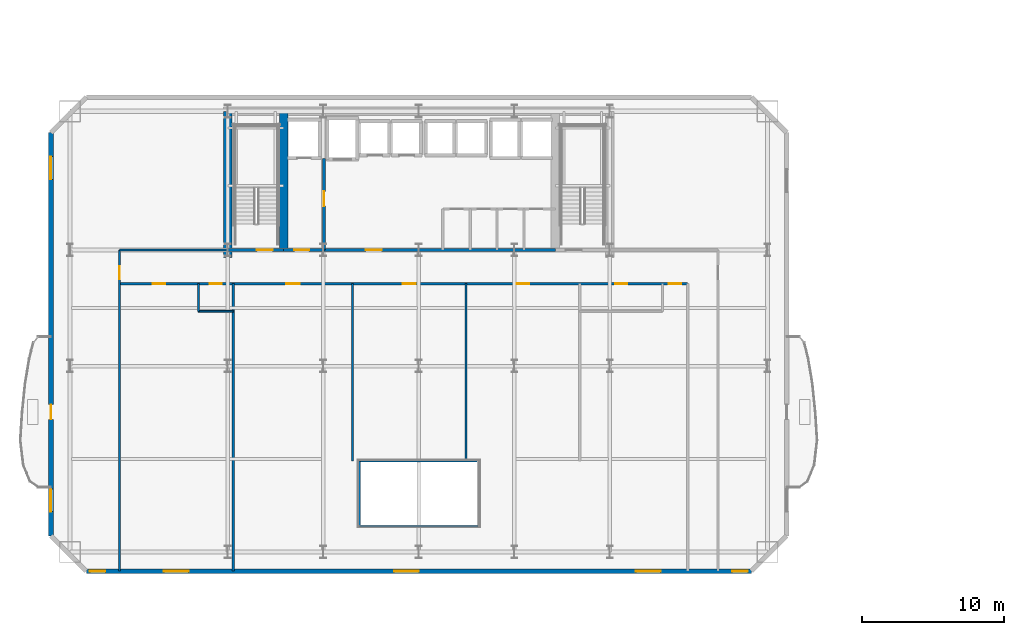
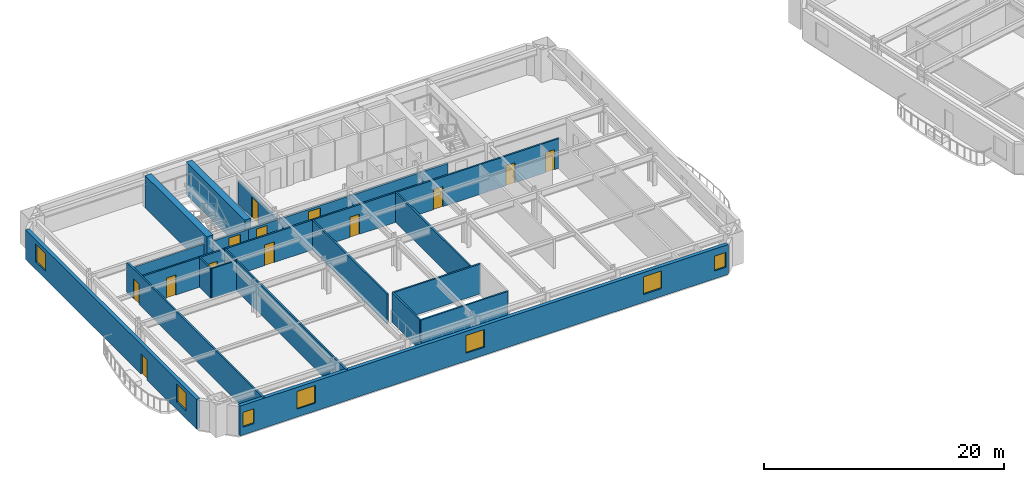
# One storey, part 5 of 15: 19 walls, 13 doors, 7 windows, 20 openings.
"""IFC4 building model written with IfcOpenShell, lengths in metres."""

from ifc_helpers import new_model, si_unit, direction, frame, frame_2d, origin, place, context, subcontext, project, spatial, rectangle, extrude, material, layer, layer_set, type_object, element, fill, save


model = new_model("IFC4")

# Units and contexts
model_context = context("Model", 3, precision=1e-05, world=origin(), true_north=direction((0.0, 1.0)))
body_context = subcontext(model_context, "Body", "Model", "MODEL_VIEW")
ifc_project = project(units=[si_unit("LENGTHUNIT", "METRE"), si_unit("AREAUNIT", "SQUARE_METRE"), si_unit("VOLUMEUNIT", "CUBIC_METRE"), si_unit("PLANEANGLEUNIT", "RADIAN"), si_unit("MASSUNIT", "GRAM", prefix="KILO")], contexts=[model_context])

# Site, building, storey
site_placement = place(None, origin())
site = spatial("IfcSite", under=ifc_project, at=site_placement, CompositionType="ELEMENT")
building_placement = place(site_placement, origin())
building = spatial("IfcBuilding", under=site, at=building_placement, Name="Haevon Station Towers", CompositionType="ELEMENT")
storey_placement = place(building_placement, frame((0.0, 0.0, 63.60009765625)))
storey = spatial("IfcBuildingStorey", under=building, at=storey_placement, Name="L16", CompositionType="ELEMENT", Elevation=63.60009765625)

# Wall, opening, door
ifc_material_1 = material(Name="Gypsum board on steel stud", Category="steel")
ifc_layer_1 = layer(ifc_material_1, 0.199951171875)
ifc_layer_set_1 = layer_set([ifc_layer_1], Name="Gypsum board on steel stud")
wall_type_1 = type_object("IfcWallType", Name="WL-COR200", PredefinedType="PARTITIONING", material=ifc_layer_set_1)
wall_1_placement = place(storey_placement, frame((24.0, 38.199951171875, 0.0), z_axis=(0.0, 0.0, 1.0), x_axis=(1.0, 0.0, 0.0)))
wall_1 = element("IfcWall", 1, at=wall_1_placement, inside=storey, type_object=wall_type_1, Name="WL-ST-ST1-L16", PredefinedType="PARTITIONING", context=body_context, shape_type="SweptSolid", body=[
    extrude(rectangle(XDim=3.949951171875, YDim=0.199951171875, at=frame_2d((1.97509765625, 0.0))), origin(), (0.0, 0.0, 1.0), 2.329833984375),
])
opening_1_placement = place(wall_1_placement, frame((2.050048828125, 0.0, 0.0)))
opening_1 = element("IfcOpeningElement", 2, at=opening_1_placement, cuts=wall_1, Name="Opening DR-ST-ST1-L16", PredefinedType="OPENING", context=body_context, shape_type="SweptSolid", body=[
    extrude(rectangle(XDim=1.1201171875, YDim=2.10009765625, at=frame_2d((0.56005859375, 1.050048828125))), frame((0.0, 0.10986328125, 0.0), z_axis=(0.0, -1.0, 0.0), x_axis=(1.0, 0.0, 0.0)), (0.0, 0.0, 1.0), 0.219970703125),
])
ifc_material_2 = material(Name="Engineered oak timber", Category="wood")
door_type_1 = type_object("IfcDoorType", Name="DR-ST-1120", OperationType="NOTDEFINED", PredefinedType="DOOR", material=ifc_material_2)
door_1_placement = place(opening_1_placement, origin())
door_1 = element("IfcDoor", 3, at=door_1_placement, inside=storey, type_object=door_type_1, Name="L16 Escape Stair ST1 Fire Door", OperationType="SINGLE_SWING_LEFT", OverallHeight=2.10009765625, OverallWidth=1.1201171875, PredefinedType="DOOR", context=body_context, shape_type="SweptSolid", body=[
    extrude(rectangle(XDim=1.1201171875, YDim=2.10009765625, at=frame_2d((0.56005859375, 1.050048828125))), frame((0.0, 0.02490234375, 0.0), z_axis=(0.0, -1.0, 0.0), x_axis=(1.0, 0.0, 0.0)), (0.0, 0.0, 1.0), 0.050048828125),
])
fill(opening_1, door_1)

wall_2_placement = place(storey_placement, frame((30.800048828125, 38.199951171875, 0.0), z_axis=(0.0, 0.0, 1.0), x_axis=(0.0, 1.0, 0.0)))
wall_2 = element("IfcWall", 4, at=wall_2_placement, inside=storey, type_object=wall_type_1, Name="WL-T1FFL-L16-E", PredefinedType="PARTITIONING", context=body_context, shape_type="SweptSolid", body=[
    extrude(rectangle(XDim=6.449951171875, YDim=0.199951171875, at=frame_2d((3.22509765625, 0.0))), origin(), (0.0, 0.0, 1.0), 2.329833984375),
])
opening_2_placement = place(wall_2_placement, frame((3.10009765625, 0.0, 0.0)))
opening_2 = element("IfcOpeningElement", 5, at=opening_2_placement, cuts=wall_2, Name="Opening DR-T1FFL-L16-E", PredefinedType="OPENING", context=body_context, shape_type="SweptSolid", body=[
    extrude(rectangle(XDim=1.050048828125, YDim=2.10009765625, at=frame_2d((0.52490234375, 1.050048828125))), frame((0.0, 0.10986328125, 0.0), z_axis=(0.0, -1.0, 0.0), x_axis=(1.0, 0.0, 0.0)), (0.0, 0.0, 1.0), 0.219970703125),
])
door_type_2 = type_object("IfcDoorType", Name="DR-FD60-1050", OperationType="NOTDEFINED", PredefinedType="DOOR", material=ifc_material_2)
door_2_placement = place(opening_2_placement, origin())
door_2 = element("IfcDoor", 6, at=door_2_placement, inside=storey, type_object=door_type_2, Name="L16 Tower 1 Firefighting Lift Lobby Door E", OperationType="SINGLE_SWING_LEFT", OverallHeight=2.10009765625, OverallWidth=1.050048828125, PredefinedType="DOOR", context=body_context, shape_type="SweptSolid", body=[
    extrude(rectangle(XDim=1.050048828125, YDim=2.10009765625, at=frame_2d((0.52490234375, 1.050048828125))), frame((0.0, 0.02490234375, 0.0), z_axis=(0.0, -1.0, 0.0), x_axis=(1.0, 0.0, 0.0)), (0.0, 0.0, 1.0), 0.050048828125),
])
fill(opening_2, door_2)

wall_3_placement = place(storey_placement, frame((27.949951171875, 38.199951171875, 0.0), z_axis=(0.0, 0.0, 1.0), x_axis=(1.0, 0.0, 0.0)))
wall_3 = element("IfcWall", 7, at=wall_3_placement, inside=storey, type_object=wall_type_1, Name="WL-T1FFL-L16-S", PredefinedType="PARTITIONING", context=body_context, shape_type="SweptSolid", body=[
    extrude(rectangle(XDim=2.85009765625, YDim=0.199951171875, at=frame_2d((1.425048828125, 0.0))), origin(), (0.0, 0.0, 1.0), 2.329833984375),
])
opening_3_placement = place(wall_3_placement, frame((0.75, 0.0, 0.0)))
opening_3 = element("IfcOpeningElement", 8, at=opening_3_placement, cuts=wall_3, Name="Opening DR-T1FFL-L16-S", PredefinedType="OPENING", context=body_context, shape_type="SweptSolid", body=[
    extrude(rectangle(XDim=1.050048828125, YDim=2.10009765625, at=frame_2d((0.52490234375, 1.050048828125))), frame((0.0, 0.10986328125, 0.0), z_axis=(0.0, -1.0, 0.0), x_axis=(1.0, 0.0, 0.0)), (0.0, 0.0, 1.0), 0.219970703125),
])
door_3_placement = place(opening_3_placement, origin())
door_3 = element("IfcDoor", 9, at=door_3_placement, inside=storey, type_object=door_type_2, Name="L16 Tower 1 Firefighting Lift Lobby Door S", OperationType="SINGLE_SWING_RIGHT", OverallHeight=2.10009765625, OverallWidth=1.050048828125, PredefinedType="DOOR", context=body_context, shape_type="SweptSolid", body=[
    extrude(rectangle(XDim=1.050048828125, YDim=2.10009765625, at=frame_2d((0.52490234375, 1.050048828125))), frame((0.0, 0.02490234375, 0.0), z_axis=(0.0, -1.0, 0.0), x_axis=(1.0, 0.0, 0.0)), (0.0, 0.0, 1.0), 0.050048828125),
])
fill(opening_3, door_3)

wall_4_placement = place(storey_placement, frame((30.800048828125, 38.199951171875, 0.0), z_axis=(0.0, 0.0, 1.0), x_axis=(1.0, 0.0, 0.0)))
wall_4 = element("IfcWall", 10, at=wall_4_placement, inside=storey, type_object=wall_type_1, Name="WL-T1CLB-L16", PredefinedType="PARTITIONING", context=body_context, shape_type="SweptSolid", body=[
    extrude(rectangle(XDim=16.349853515625, YDim=0.199951171875, at=frame_2d((8.1748046875, 0.0))), origin(), (0.0, 0.0, 1.0), 2.329833984375),
])
opening_4_placement = place(wall_4_placement, frame((2.949951171875, 0.0, 0.0)))
opening_4 = element("IfcOpeningElement", 11, at=opening_4_placement, cuts=wall_4, Name="Opening DR-T1CLB-L16-1", PredefinedType="OPENING", context=body_context, shape_type="SweptSolid", body=[
    extrude(rectangle(XDim=1.1201171875, YDim=2.10009765625, at=frame_2d((0.56005859375, 1.050048828125))), frame((0.0, 0.10986328125, 0.0), z_axis=(0.0, -1.0, 0.0), x_axis=(1.0, 0.0, 0.0)), (0.0, 0.0, 1.0), 0.219970703125),
])
door_4_placement = place(opening_4_placement, origin())
door_4 = element("IfcDoor", 12, at=door_4_placement, inside=storey, type_object=door_type_1, Name="L16 Tower 1 Core Lift Lobby Door 1", OperationType="SINGLE_SWING_LEFT", OverallHeight=2.10009765625, OverallWidth=1.1201171875, PredefinedType="DOOR", context=body_context, shape_type="SweptSolid", body=[
    extrude(rectangle(XDim=1.1201171875, YDim=2.10009765625, at=frame_2d((0.56005859375, 1.050048828125))), frame((0.0, 0.02490234375, 0.0), z_axis=(0.0, -1.0, 0.0), x_axis=(1.0, 0.0, 0.0)), (0.0, 0.0, 1.0), 0.050048828125),
])
fill(opening_4, door_4)

# Walls
ifc_material_3 = material(Name="Concrete C60/75", Category="concrete")
ifc_layer_2 = layer(ifc_material_3, 0.60009765625)
ifc_layer_set_2 = layer_set([ifc_layer_2], Name="Concrete C60/75")
wall_type_2 = type_object("IfcWallType", Name="WL-CR600", PredefinedType="SHEAR", material=ifc_layer_set_2)
wall_5_placement = place(storey_placement, frame((24.0, 37.679931640625, 0.0), z_axis=(0.0, 0.0, 1.0), x_axis=(0.0, 1.0, 0.0)))
element("IfcWall", 13, at=wall_5_placement, inside=storey, type_object=wall_type_2, Name="WL-T1CR-L16-W", PredefinedType="SHEAR", context=body_context, shape_type="SweptSolid", body=[
    extrude(rectangle(XDim=10.320068359375, YDim=0.60009765625, at=frame_2d((5.16015625, 0.0))), origin(), (0.0, 0.0, 1.0), 3.2998046875),
])
wall_6_placement = place(storey_placement, frame((27.949951171875, 38.199951171875, 0.0), z_axis=(0.0, 0.0, 1.0), x_axis=(0.0, 1.0, 0.0)))
element("IfcWall", 14, at=wall_6_placement, inside=storey, type_object=wall_type_2, Name="WL-T1CR-L16-M1", PredefinedType="SHEAR", context=body_context, shape_type="SweptSolid", body=[
    extrude(rectangle(XDim=9.800048828125, YDim=0.60009765625, at=frame_2d((4.89990234375, 0.0))), origin(), (0.0, 0.0, 1.0), 3.2998046875),
])

# Wall, openings, windows
ifc_material_4 = material(Name="Precast concrete C45/55", Category="concrete")
ifc_layer_3 = layer(ifc_material_4, 0.340087890625)
ifc_layer_set_3 = layer_set([ifc_layer_3], Name="Precast concrete C45/55")
wall_type_3 = type_object("IfcWallType", Name="WL-EXT-PIER340", PredefinedType="SOLIDWALL", material=ifc_layer_set_3)
wall_7_placement = place(storey_placement, frame((61.0, 15.5, 0.0), z_axis=(0.0, 0.0, 1.0), x_axis=(-1.0, 0.0, 0.0)))
wall_7 = element("IfcWall", 15, at=wall_7_placement, inside=storey, type_object=wall_type_3, Name="WL-T1-L16-S", PredefinedType="SOLIDWALL", context=body_context, shape_type="SweptSolid", body=[
    extrude(rectangle(XDim=47.0, YDim=0.340087890625, at=frame_2d((23.5, 0.0))), origin(), (0.0, 0.0, 1.0), 3.02978515625),
])
opening_5_placement = place(wall_7_placement, frame((45.64990234375, 0.0, 0.800048828125)))
opening_5 = element("IfcOpeningElement", 16, at=opening_5_placement, cuts=wall_7, Name="Opening WN-COR110", PredefinedType="OPENING", context=body_context, shape_type="SweptSolid", body=[
    extrude(rectangle(XDim=1.10009765625, YDim=1.5, at=frame_2d((0.550048828125, 0.75))), frame((0.0, 0.179931640625, 0.0), z_axis=(0.0, -1.0, 0.0), x_axis=(1.0, 0.0, 0.0)), (0.0, 0.0, 1.0), 0.360107421875),
])
opening_6_placement = place(wall_7_placement, frame((0.25, 0.0, 0.800048828125)))
opening_6 = element("IfcOpeningElement", 17, at=opening_6_placement, cuts=wall_7, Name="Opening WN-COR110", PredefinedType="OPENING", context=body_context, shape_type="SweptSolid", body=[
    extrude(rectangle(XDim=1.10009765625, YDim=1.5, at=frame_2d((0.550048828125, 0.75))), frame((0.0, 0.179931640625, 0.0), z_axis=(0.0, -1.0, 0.0), x_axis=(1.0, 0.0, 0.0)), (0.0, 0.0, 1.0), 0.360107421875),
])
opening_7_placement = place(wall_7_placement, frame((39.760009765625, 0.0, 0.800048828125)))
opening_7 = element("IfcOpeningElement", 18, at=opening_7_placement, cuts=wall_7, Name="Opening WN-P175", PredefinedType="OPENING", context=body_context, shape_type="SweptSolid", body=[
    extrude(rectangle(XDim=1.75, YDim=1.800048828125, at=frame_2d((0.875, 0.89990234375))), frame((0.0, 0.179931640625, 0.0), z_axis=(0.0, -1.0, 0.0), x_axis=(1.0, 0.0, 0.0)), (0.0, 0.0, 1.0), 0.360107421875),
])
opening_8_placement = place(wall_7_placement, frame((23.499267578125, 0.0, 0.800048828125)))
opening_8 = element("IfcOpeningElement", 19, at=opening_8_placement, cuts=wall_7, Name="Opening WN-P175", PredefinedType="OPENING", context=body_context, shape_type="SweptSolid", body=[
    extrude(rectangle(XDim=1.75, YDim=1.800048828125, at=frame_2d((0.875, 0.89990234375))), frame((0.0, 0.179931640625, 0.0), z_axis=(0.0, -1.0, 0.0), x_axis=(1.0, 0.0, 0.0)), (0.0, 0.0, 1.0), 0.360107421875),
])
opening_9_placement = place(wall_7_placement, frame((6.41552734375, 0.0, 0.800048828125)))
opening_9 = element("IfcOpeningElement", 20, at=opening_9_placement, cuts=wall_7, Name="Opening WN-P175", PredefinedType="OPENING", context=body_context, shape_type="SweptSolid", body=[
    extrude(rectangle(XDim=1.75, YDim=1.800048828125, at=frame_2d((0.875, 0.89990234375))), frame((0.0, 0.179931640625, 0.0), z_axis=(0.0, -1.0, 0.0), x_axis=(1.0, 0.0, 0.0)), (0.0, 0.0, 1.0), 0.360107421875),
])
ifc_material_5 = material(Name="Low-E triple glazing in thermally broken aluminium", Category="aluminium")
window_type_1 = type_object("IfcWindowType", Name="WN-COR110", PartitioningType="SINGLE_PANEL", PredefinedType="WINDOW", material=ifc_material_5)
window_1_placement = place(opening_5_placement, origin())
window_1 = element("IfcWindow", 21, at=window_1_placement, inside=storey, type_object=window_type_1, Name="WN-T1-L16-S01", OverallHeight=1.5, OverallWidth=1.10009765625, PartitioningType="SINGLE_PANEL", PredefinedType="WINDOW", context=body_context, shape_type="SweptSolid", body=[
    extrude(rectangle(XDim=1.10009765625, YDim=1.5, at=frame_2d((0.550048828125, 0.75))), frame((0.0, 0.030029296875, 0.0), z_axis=(0.0, -1.0, 0.0), x_axis=(1.0, 0.0, 0.0)), (0.0, 0.0, 1.0), 0.06005859375),
])
fill(opening_5, window_1)
window_2_placement = place(opening_6_placement, origin())
window_2 = element("IfcWindow", 22, at=window_2_placement, inside=storey, type_object=window_type_1, Name="WN-T1-L16-S02", OverallHeight=1.5, OverallWidth=1.10009765625, PartitioningType="SINGLE_PANEL", PredefinedType="WINDOW", context=body_context, shape_type="SweptSolid", body=[
    extrude(rectangle(XDim=1.10009765625, YDim=1.5, at=frame_2d((0.550048828125, 0.75))), frame((0.0, 0.030029296875, 0.0), z_axis=(0.0, -1.0, 0.0), x_axis=(1.0, 0.0, 0.0)), (0.0, 0.0, 1.0), 0.06005859375),
])
fill(opening_6, window_2)
window_type_2 = type_object("IfcWindowType", Name="WN-P175", PartitioningType="SINGLE_PANEL", PredefinedType="WINDOW", material=ifc_material_5)
window_3_placement = place(opening_7_placement, origin())
window_3 = element("IfcWindow", 23, at=window_3_placement, inside=storey, type_object=window_type_2, Name="WN-T1-L16-S03", OverallHeight=1.800048828125, OverallWidth=1.75, PartitioningType="SINGLE_PANEL", PredefinedType="WINDOW", context=body_context, shape_type="SweptSolid", body=[
    extrude(rectangle(XDim=1.75, YDim=1.800048828125, at=frame_2d((0.875, 0.89990234375))), frame((0.0, 0.030029296875, 0.0), z_axis=(0.0, -1.0, 0.0), x_axis=(1.0, 0.0, 0.0)), (0.0, 0.0, 1.0), 0.06005859375),
])
fill(opening_7, window_3)
window_4_placement = place(opening_8_placement, origin())
window_4 = element("IfcWindow", 24, at=window_4_placement, inside=storey, type_object=window_type_2, Name="WN-T1-L16-S04", OverallHeight=1.800048828125, OverallWidth=1.75, PartitioningType="SINGLE_PANEL", PredefinedType="WINDOW", context=body_context, shape_type="SweptSolid", body=[
    extrude(rectangle(XDim=1.75, YDim=1.800048828125, at=frame_2d((0.875, 0.89990234375))), frame((0.0, 0.030029296875, 0.0), z_axis=(0.0, -1.0, 0.0), x_axis=(1.0, 0.0, 0.0)), (0.0, 0.0, 1.0), 0.06005859375),
])
fill(opening_8, window_4)
window_5_placement = place(opening_9_placement, origin())
window_5 = element("IfcWindow", 25, at=window_5_placement, inside=storey, type_object=window_type_2, Name="WN-T1-L16-S05", OverallHeight=1.800048828125, OverallWidth=1.75, PartitioningType="SINGLE_PANEL", PredefinedType="WINDOW", context=body_context, shape_type="SweptSolid", body=[
    extrude(rectangle(XDim=1.75, YDim=1.800048828125, at=frame_2d((0.875, 0.89990234375))), frame((0.0, 0.030029296875, 0.0), z_axis=(0.0, -1.0, 0.0), x_axis=(1.0, 0.0, 0.0)), (0.0, 0.0, 1.0), 0.06005859375),
])
fill(opening_9, window_5)

# Wall, openings, door, windows
wall_8_placement = place(storey_placement, frame((11.5, 18.0, 0.0), z_axis=(0.0, 0.0, 1.0), x_axis=(0.0, 1.0, 0.0)))
wall_8 = element("IfcWall", 26, at=wall_8_placement, inside=storey, type_object=wall_type_3, Name="WL-T1-L16-W", PredefinedType="SOLIDWALL", context=body_context, shape_type="SweptSolid", body=[
    extrude(rectangle(XDim=28.5, YDim=0.340087890625, at=frame_2d((14.25, 0.0))), origin(), (0.0, 0.0, 1.0), 3.02978515625),
])
opening_10_placement = place(wall_8_placement, frame((8.22509765625, 0.0, 0.0)))
opening_10 = element("IfcOpeningElement", 27, at=opening_10_placement, cuts=wall_8, Name="Opening DR-T1-SCAL-L16-W", PredefinedType="OPENING", context=body_context, shape_type="SweptSolid", body=[
    extrude(rectangle(XDim=1.050048828125, YDim=2.10009765625, at=frame_2d((0.52490234375, 1.050048828125))), frame((0.0, 0.179931640625, 0.0), z_axis=(0.0, -1.0, 0.0), x_axis=(1.0, 0.0, 0.0)), (0.0, 0.0, 1.0), 0.360107421875),
])
opening_11_placement = place(wall_8_placement, frame((1.70361328125, 0.0, 0.800048828125)))
opening_11 = element("IfcOpeningElement", 28, at=opening_11_placement, cuts=wall_8, Name="Opening WN-END160", PredefinedType="OPENING", context=body_context, shape_type="SweptSolid", body=[
    extrude(rectangle(XDim=1.60009765625, YDim=1.800048828125, at=frame_2d((0.800048828125, 0.89990234375))), frame((0.0, 0.179931640625, 0.0), z_axis=(0.0, -1.0, 0.0), x_axis=(1.0, 0.0, 0.0)), (0.0, 0.0, 1.0), 0.360107421875),
])
opening_12_placement = place(wall_8_placement, frame((25.1962890625, 0.0, 0.800048828125)))
opening_12 = element("IfcOpeningElement", 29, at=opening_12_placement, cuts=wall_8, Name="Opening WN-END160", PredefinedType="OPENING", context=body_context, shape_type="SweptSolid", body=[
    extrude(rectangle(XDim=1.60009765625, YDim=1.800048828125, at=frame_2d((0.800048828125, 0.89990234375))), frame((0.0, 0.179931640625, 0.0), z_axis=(0.0, -1.0, 0.0), x_axis=(1.0, 0.0, 0.0)), (0.0, 0.0, 1.0), 0.360107421875),
])
ifc_material_6 = material(Name="Thermally broken anodised aluminium and laminated safety glass", Category="aluminium")
door_type_3 = type_object("IfcDoorType", Name="DR-BALC-1050", OperationType="NOTDEFINED", PredefinedType="DOOR", material=ifc_material_6)
door_5_placement = place(opening_10_placement, origin())
door_5 = element("IfcDoor", 30, at=door_5_placement, inside=storey, type_object=door_type_3, Name="Tower 1 L16 West Scalloped Balcony Door", OperationType="SINGLE_SWING_LEFT", OverallHeight=2.10009765625, OverallWidth=1.050048828125, PredefinedType="DOOR", context=body_context, shape_type="SweptSolid", body=[
    extrude(rectangle(XDim=1.050048828125, YDim=2.10009765625, at=frame_2d((0.52490234375, 1.050048828125))), frame((0.0, 0.02490234375, 0.0), z_axis=(0.0, -1.0, 0.0), x_axis=(1.0, 0.0, 0.0)), (0.0, 0.0, 1.0), 0.050048828125),
])
fill(opening_10, door_5)
window_type_3 = type_object("IfcWindowType", Name="WN-END160", PartitioningType="SINGLE_PANEL", PredefinedType="WINDOW", material=ifc_material_5)
window_6_placement = place(opening_11_placement, origin())
window_6 = element("IfcWindow", 31, at=window_6_placement, inside=storey, type_object=window_type_3, Name="WN-T1-L16-W01", OverallHeight=1.800048828125, OverallWidth=1.60009765625, PartitioningType="SINGLE_PANEL", PredefinedType="WINDOW", context=body_context, shape_type="SweptSolid", body=[
    extrude(rectangle(XDim=1.60009765625, YDim=1.800048828125, at=frame_2d((0.800048828125, 0.89990234375))), frame((0.0, 0.030029296875, 0.0), z_axis=(0.0, -1.0, 0.0), x_axis=(1.0, 0.0, 0.0)), (0.0, 0.0, 1.0), 0.06005859375),
])
fill(opening_11, window_6)
window_7_placement = place(opening_12_placement, origin())
window_7 = element("IfcWindow", 32, at=window_7_placement, inside=storey, type_object=window_type_3, Name="WN-T1-L16-W02", OverallHeight=1.800048828125, OverallWidth=1.60009765625, PartitioningType="SINGLE_PANEL", PredefinedType="WINDOW", context=body_context, shape_type="SweptSolid", body=[
    extrude(rectangle(XDim=1.60009765625, YDim=1.800048828125, at=frame_2d((0.800048828125, 0.89990234375))), frame((0.0, 0.030029296875, 0.0), z_axis=(0.0, -1.0, 0.0), x_axis=(1.0, 0.0, 0.0)), (0.0, 0.0, 1.0), 0.06005859375),
])
fill(opening_12, window_7)

# Walls
ifc_layer_4 = layer(ifc_material_1, 0.125)
ifc_layer_set_4 = layer_set([ifc_layer_4], Name="Gypsum board on steel stud")
wall_type_4 = type_object("IfcWallType", Name="WL-PRT125", PredefinedType="PARTITIONING", material=ifc_layer_set_4)
wall_9_placement = place(storey_placement, frame((21.929931640625, 33.8701171875, 0.0), z_axis=(0.0, 0.0, 1.0), x_axis=(0.0, 1.0, 0.0)))
element("IfcWall", 33, at=wall_9_placement, inside=storey, type_object=wall_type_4, Name="WL-T1PT-L16-11", PredefinedType="PARTITIONING", context=body_context, shape_type="SweptSolid", body=[
    extrude(rectangle(XDim=1.949951171875, YDim=0.125, at=frame_2d((0.97509765625, 0.0))), origin(), (0.0, 0.0, 1.0), 3.02978515625),
])
ifc_layer_5 = layer(ifc_material_1, 0.139892578125)
ifc_layer_set_5 = layer_set([ifc_layer_5], Name="Gypsum board on steel stud")
wall_type_5 = type_object("IfcWallType", Name="WL-PRT140", PredefinedType="PARTITIONING", material=ifc_layer_set_5)
wall_10_placement = place(storey_placement, frame((21.929931640625, 33.8701171875, 0.0), z_axis=(0.0, 0.0, 1.0), x_axis=(1.0, 0.0, 0.0)))
element("IfcWall", 34, at=wall_10_placement, inside=storey, type_object=wall_type_5, Name="WL-T1PT-L16-10", PredefinedType="PARTITIONING", context=body_context, shape_type="SweptSolid", body=[
    extrude(rectangle(XDim=2.449951171875, YDim=0.139892578125, at=frame_2d((1.22509765625, 0.0))), origin(), (0.0, 0.0, 1.0), 3.02978515625),
])
ifc_layer_6 = layer(ifc_material_1, 0.159912109375)
ifc_layer_set_6 = layer_set([ifc_layer_6], Name="Gypsum board on steel stud")
wall_type_6 = type_object("IfcWallType", Name="WL-PRT160", PredefinedType="PARTITIONING", material=ifc_layer_set_6)
wall_11_placement = place(storey_placement, frame((16.35009765625, 38.199951171875, 0.0), z_axis=(0.0, 0.0, 1.0), x_axis=(1.0, 0.0, 0.0)))
element("IfcWall", 35, at=wall_11_placement, inside=storey, type_object=wall_type_6, Name="WL-T1PT-L16-02", PredefinedType="PARTITIONING", context=body_context, shape_type="SweptSolid", body=[
    extrude(rectangle(XDim=7.64990234375, YDim=0.159912109375, at=frame_2d((3.824951171875, 0.0))), origin(), (0.0, 0.0, 1.0), 2.329833984375),
])

# Wall, opening, door
wall_12_placement = place(storey_placement, frame((16.35009765625, 15.5, 0.0), z_axis=(0.0, 0.0, 1.0), x_axis=(0.0, 1.0, 0.0)))
wall_12 = element("IfcWall", 36, at=wall_12_placement, inside=storey, type_object=wall_type_6, Name="WL-T1PT-L16-04", PredefinedType="PARTITIONING", context=body_context, shape_type="SweptSolid", body=[
    extrude(rectangle(XDim=22.699951171875, YDim=0.159912109375, at=frame_2d((11.35009765625, 0.0))), origin(), (0.0, 0.0, 1.0), 3.02978515625),
])
opening_13_placement = place(wall_12_placement, frame((20.639892578125, 0.0, 0.0)))
opening_13 = element("IfcOpeningElement", 37, at=opening_13_placement, cuts=wall_12, Name="Opening DR-WL-T1PT-L16-04-01", PredefinedType="OPENING", context=body_context, shape_type="SweptSolid", body=[
    extrude(rectangle(XDim=0.89990234375, YDim=2.050048828125, at=frame_2d((0.449951171875, 1.02490234375))), frame((0.0, 0.08984375, 0.0), z_axis=(0.0, -1.0, 0.0), x_axis=(1.0, 0.0, 0.0)), (0.0, 0.0, 1.0), 0.179931640625),
])
door_type_4 = type_object("IfcDoorType", Name="DR-INT-900", OperationType="NOTDEFINED", PredefinedType="DOOR", material=ifc_material_2)
door_6_placement = place(opening_13_placement, origin())
door_6 = element("IfcDoor", 38, at=door_6_placement, inside=storey, type_object=door_type_4, Name="L16 Tower 1 Room Door 4-1", OperationType="SINGLE_SWING_RIGHT", OverallHeight=2.050048828125, OverallWidth=0.89990234375, PredefinedType="DOOR", context=body_context, shape_type="SweptSolid", body=[
    extrude(rectangle(XDim=0.89990234375, YDim=2.050048828125, at=frame_2d((0.449951171875, 1.02490234375))), frame((0.0, 0.02490234375, 0.0), z_axis=(0.0, -1.0, 0.0), x_axis=(1.0, 0.0, 0.0)), (0.0, 0.0, 1.0), 0.050048828125),
])
fill(opening_13, door_6)

# Walls
for number, where, z_axis, x_axis, name in (
    (39, (33.300048828125, 18.699951171875, 0.0), (0.0, 0.0, 1.0), (1.0, 0.0, 0.0), "WL-T1PT-L16-06"),
    (40, (33.300048828125, 23.300048828125, 0.0), (0.0, 0.0, 1.0), (1.0, 0.0, 0.0), "WL-T1PT-L16-07"),
):
    element("IfcWall", number, at=place(storey_placement, frame(where, z_axis=z_axis, x_axis=x_axis)), inside=storey, type_object=wall_type_6, Name=name, PredefinedType="PARTITIONING", context=body_context, shape_type="SweptSolid", body=[
        extrude(rectangle(XDim=8.39990234375, YDim=0.159912109375, at=frame_2d((4.199951171875, 0.0))), origin(), (0.0, 0.0, 1.0), 3.02978515625),
    ])
wall_13_placement = place(storey_placement, frame((33.300048828125, 18.699951171875, 0.0), z_axis=(0.0, 0.0, 1.0), x_axis=(0.0, 1.0, 0.0)))
element("IfcWall", 41, at=wall_13_placement, inside=storey, type_object=wall_type_6, Name="WL-T1PT-L16-08", PredefinedType="PARTITIONING", context=body_context, shape_type="SweptSolid", body=[
    extrude(rectangle(XDim=4.60009765625, YDim=0.159912109375, at=frame_2d((2.300048828125, 0.0))), origin(), (0.0, 0.0, 1.0), 3.02978515625),
])
wall_14_placement = place(storey_placement, frame((24.3798828125, 15.5, 0.0), z_axis=(0.0, 0.0, 1.0), x_axis=(0.0, 1.0, 0.0)))
element("IfcWall", 42, at=wall_14_placement, inside=storey, type_object=wall_type_6, Name="WL-T1PT-L16-12", PredefinedType="PARTITIONING", context=body_context, shape_type="SweptSolid", body=[
    extrude(rectangle(XDim=20.320068359375, YDim=0.159912109375, at=frame_2d((10.16015625, 0.0))), origin(), (0.0, 0.0, 1.0), 3.02978515625),
])
for number, where, z_axis, x_axis, name in (
    (43, (32.8115234375, 23.300048828125, 0.0), (0.0, 0.0, 1.0), (0.0, 1.0, 0.0), "WL-T1PT-L16-13"),
    (44, (40.841552734375, 23.300048828125, 0.0), (0.0, 0.0, 1.0), (0.0, 1.0, 0.0), "WL-T1PT-L16-14"),
):
    element("IfcWall", number, at=place(storey_placement, frame(where, z_axis=z_axis, x_axis=x_axis)), inside=storey, type_object=wall_type_6, Name=name, PredefinedType="PARTITIONING", context=body_context, shape_type="SweptSolid", body=[
        extrude(rectangle(XDim=12.52001953125, YDim=0.159912109375, at=frame_2d((6.260009765625, 0.0))), origin(), (0.0, 0.0, 1.0), 3.02978515625),
    ])

# Wall, openings, doors
wall_15_placement = place(storey_placement, frame((16.35009765625, 35.820068359375, 0.0), z_axis=(0.0, 0.0, 1.0), x_axis=(1.0, 0.0, 0.0)))
wall_15 = element("IfcWall", 45, at=wall_15_placement, inside=storey, type_object=wall_type_6, Name="WL-T1PT-L16-20", PredefinedType="PARTITIONING", context=body_context, shape_type="SweptSolid", body=[
    extrude(rectangle(XDim=40.14990234375, YDim=0.159912109375, at=frame_2d((20.074951171875, 0.0))), origin(), (0.0, 0.0, 1.0), 3.02978515625),
])
opening_14_placement = place(wall_15_placement, frame((6.3798828125, 0.0, 0.0)))
opening_14 = element("IfcOpeningElement", 46, at=opening_14_placement, cuts=wall_15, Name="Opening DR-WL-T1PT-L16-20-01", PredefinedType="OPENING", context=body_context, shape_type="SweptSolid", body=[
    extrude(rectangle(XDim=0.85009765625, YDim=2.050048828125, at=frame_2d((0.425048828125, 1.02490234375))), frame((0.0, 0.08984375, 0.0), z_axis=(0.0, -1.0, 0.0), x_axis=(1.0, 0.0, 0.0)), (0.0, 0.0, 1.0), 0.179931640625),
])
opening_15_placement = place(wall_15_placement, frame((2.340087890625, 0.0, 0.0)))
opening_15 = element("IfcOpeningElement", 47, at=opening_15_placement, cuts=wall_15, Name="Opening DR-WL-T1PT-L16-20-02", PredefinedType="OPENING", context=body_context, shape_type="SweptSolid", body=[
    extrude(rectangle(XDim=0.89990234375, YDim=2.050048828125, at=frame_2d((0.449951171875, 1.02490234375))), frame((0.0, 0.08984375, 0.0), z_axis=(0.0, -1.0, 0.0), x_axis=(1.0, 0.0, 0.0)), (0.0, 0.0, 1.0), 0.179931640625),
])
opening_16_placement = place(wall_15_placement, frame((11.77099609375, 0.0, 0.0)))
opening_16 = element("IfcOpeningElement", 48, at=opening_16_placement, cuts=wall_15, Name="Opening DR-WL-T1PT-L16-20-03", PredefinedType="OPENING", context=body_context, shape_type="SweptSolid", body=[
    extrude(rectangle(XDim=0.949951171875, YDim=2.10009765625, at=frame_2d((0.47509765625, 1.050048828125))), frame((0.0, 0.08984375, 0.0), z_axis=(0.0, -1.0, 0.0), x_axis=(1.0, 0.0, 0.0)), (0.0, 0.0, 1.0), 0.179931640625),
])
opening_17_placement = place(wall_15_placement, frame((20.027099609375, 0.0, 0.0)))
opening_17 = element("IfcOpeningElement", 49, at=opening_17_placement, cuts=wall_15, Name="Opening DR-WL-T1PT-L16-20-04", PredefinedType="OPENING", context=body_context, shape_type="SweptSolid", body=[
    extrude(rectangle(XDim=0.89990234375, YDim=2.050048828125, at=frame_2d((0.449951171875, 1.02490234375))), frame((0.0, 0.08984375, 0.0), z_axis=(0.0, -1.0, 0.0), x_axis=(1.0, 0.0, 0.0)), (0.0, 0.0, 1.0), 0.179931640625),
])
opening_18_placement = place(wall_15_placement, frame((28.055908203125, 0.0, 0.0)))
opening_18 = element("IfcOpeningElement", 50, at=opening_18_placement, cuts=wall_15, Name="Opening DR-WL-T1PT-L16-20-05", PredefinedType="OPENING", context=body_context, shape_type="SweptSolid", body=[
    extrude(rectangle(XDim=0.89990234375, YDim=2.050048828125, at=frame_2d((0.449951171875, 1.02490234375))), frame((0.0, 0.08984375, 0.0), z_axis=(0.0, -1.0, 0.0), x_axis=(1.0, 0.0, 0.0)), (0.0, 0.0, 1.0), 0.179931640625),
])
opening_19_placement = place(wall_15_placement, frame((35.02099609375, 0.0, 0.0)))
opening_19 = element("IfcOpeningElement", 51, at=opening_19_placement, cuts=wall_15, Name="Opening DR-WL-T1PT-L16-20-06", PredefinedType="OPENING", context=body_context, shape_type="SweptSolid", body=[
    extrude(rectangle(XDim=0.85009765625, YDim=2.050048828125, at=frame_2d((0.425048828125, 1.02490234375))), frame((0.0, 0.08984375, 0.0), z_axis=(0.0, -1.0, 0.0), x_axis=(1.0, 0.0, 0.0)), (0.0, 0.0, 1.0), 0.179931640625),
])
opening_20_placement = place(wall_15_placement, frame((38.81005859375, 0.0, 0.0)))
opening_20 = element("IfcOpeningElement", 52, at=opening_20_placement, cuts=wall_15, Name="Opening DR-WL-T1PT-L16-20-07", PredefinedType="OPENING", context=body_context, shape_type="SweptSolid", body=[
    extrude(rectangle(XDim=0.89990234375, YDim=2.050048828125, at=frame_2d((0.449951171875, 1.02490234375))), frame((0.0, 0.08984375, 0.0), z_axis=(0.0, -1.0, 0.0), x_axis=(1.0, 0.0, 0.0)), (0.0, 0.0, 1.0), 0.179931640625),
])
door_type_5 = type_object("IfcDoorType", Name="DR-FD30-850", OperationType="NOTDEFINED", PredefinedType="DOOR", material=ifc_material_2)
door_7_placement = place(opening_14_placement, origin())
door_7 = element("IfcDoor", 53, at=door_7_placement, inside=storey, type_object=door_type_5, Name="L16 Tower 1 Room Door 20-1", OperationType="SINGLE_SWING_RIGHT", OverallHeight=2.050048828125, OverallWidth=0.85009765625, PredefinedType="DOOR", context=body_context, shape_type="SweptSolid", body=[
    extrude(rectangle(XDim=0.85009765625, YDim=2.050048828125, at=frame_2d((0.425048828125, 1.02490234375))), frame((0.0, 0.02490234375, 0.0), z_axis=(0.0, -1.0, 0.0), x_axis=(1.0, 0.0, 0.0)), (0.0, 0.0, 1.0), 0.050048828125),
])
fill(opening_14, door_7)
door_8_placement = place(opening_19_placement, origin())
door_8 = element("IfcDoor", 54, at=door_8_placement, inside=storey, type_object=door_type_5, Name="L16 Tower 1 Room Door 20-6", OperationType="SINGLE_SWING_LEFT", OverallHeight=2.050048828125, OverallWidth=0.85009765625, PredefinedType="DOOR", context=body_context, shape_type="SweptSolid", body=[
    extrude(rectangle(XDim=0.85009765625, YDim=2.050048828125, at=frame_2d((0.425048828125, 1.02490234375))), frame((0.0, 0.02490234375, 0.0), z_axis=(0.0, -1.0, 0.0), x_axis=(1.0, 0.0, 0.0)), (0.0, 0.0, 1.0), 0.050048828125),
])
fill(opening_19, door_8)
door_type_6 = type_object("IfcDoorType", Name="DR-FD30-950", OperationType="NOTDEFINED", PredefinedType="DOOR", material=ifc_material_2)
door_9_placement = place(opening_16_placement, origin())
door_9 = element("IfcDoor", 55, at=door_9_placement, inside=storey, type_object=door_type_6, Name="L16 Tower 1 Room Door 20-3", OperationType="SINGLE_SWING_RIGHT", OverallHeight=2.10009765625, OverallWidth=0.949951171875, PredefinedType="DOOR", context=body_context, shape_type="SweptSolid", body=[
    extrude(rectangle(XDim=0.949951171875, YDim=2.10009765625, at=frame_2d((0.47509765625, 1.050048828125))), frame((0.0, 0.02490234375, 0.0), z_axis=(0.0, -1.0, 0.0), x_axis=(1.0, 0.0, 0.0)), (0.0, 0.0, 1.0), 0.050048828125),
])
fill(opening_16, door_9)
door_10_placement = place(opening_15_placement, origin())
door_10 = element("IfcDoor", 56, at=door_10_placement, inside=storey, type_object=door_type_4, Name="L16 Tower 1 Room Door 20-2", OperationType="SINGLE_SWING_LEFT", OverallHeight=2.050048828125, OverallWidth=0.89990234375, PredefinedType="DOOR", context=body_context, shape_type="SweptSolid", body=[
    extrude(rectangle(XDim=0.89990234375, YDim=2.050048828125, at=frame_2d((0.449951171875, 1.02490234375))), frame((0.0, 0.02490234375, 0.0), z_axis=(0.0, -1.0, 0.0), x_axis=(1.0, 0.0, 0.0)), (0.0, 0.0, 1.0), 0.050048828125),
])
fill(opening_15, door_10)
door_11_placement = place(opening_17_placement, origin())
door_11 = element("IfcDoor", 57, at=door_11_placement, inside=storey, type_object=door_type_4, Name="L16 Tower 1 Room Door 20-4", OperationType="SINGLE_SWING_LEFT", OverallHeight=2.050048828125, OverallWidth=0.89990234375, PredefinedType="DOOR", context=body_context, shape_type="SweptSolid", body=[
    extrude(rectangle(XDim=0.89990234375, YDim=2.050048828125, at=frame_2d((0.449951171875, 1.02490234375))), frame((0.0, 0.02490234375, 0.0), z_axis=(0.0, -1.0, 0.0), x_axis=(1.0, 0.0, 0.0)), (0.0, 0.0, 1.0), 0.050048828125),
])
fill(opening_17, door_11)
door_12_placement = place(opening_18_placement, origin())
door_12 = element("IfcDoor", 58, at=door_12_placement, inside=storey, type_object=door_type_4, Name="L16 Tower 1 Room Door 20-5", OperationType="SINGLE_SWING_RIGHT", OverallHeight=2.050048828125, OverallWidth=0.89990234375, PredefinedType="DOOR", context=body_context, shape_type="SweptSolid", body=[
    extrude(rectangle(XDim=0.89990234375, YDim=2.050048828125, at=frame_2d((0.449951171875, 1.02490234375))), frame((0.0, 0.02490234375, 0.0), z_axis=(0.0, -1.0, 0.0), x_axis=(1.0, 0.0, 0.0)), (0.0, 0.0, 1.0), 0.050048828125),
])
fill(opening_18, door_12)
door_13_placement = place(opening_20_placement, origin())
door_13 = element("IfcDoor", 59, at=door_13_placement, inside=storey, type_object=door_type_4, Name="L16 Tower 1 Room Door 20-7", OperationType="SINGLE_SWING_RIGHT", OverallHeight=2.050048828125, OverallWidth=0.89990234375, PredefinedType="DOOR", context=body_context, shape_type="SweptSolid", body=[
    extrude(rectangle(XDim=0.89990234375, YDim=2.050048828125, at=frame_2d((0.449951171875, 1.02490234375))), frame((0.0, 0.02490234375, 0.0), z_axis=(0.0, -1.0, 0.0), x_axis=(1.0, 0.0, 0.0)), (0.0, 0.0, 1.0), 0.050048828125),
])
fill(opening_20, door_13)

save(model, "model.ifc")
